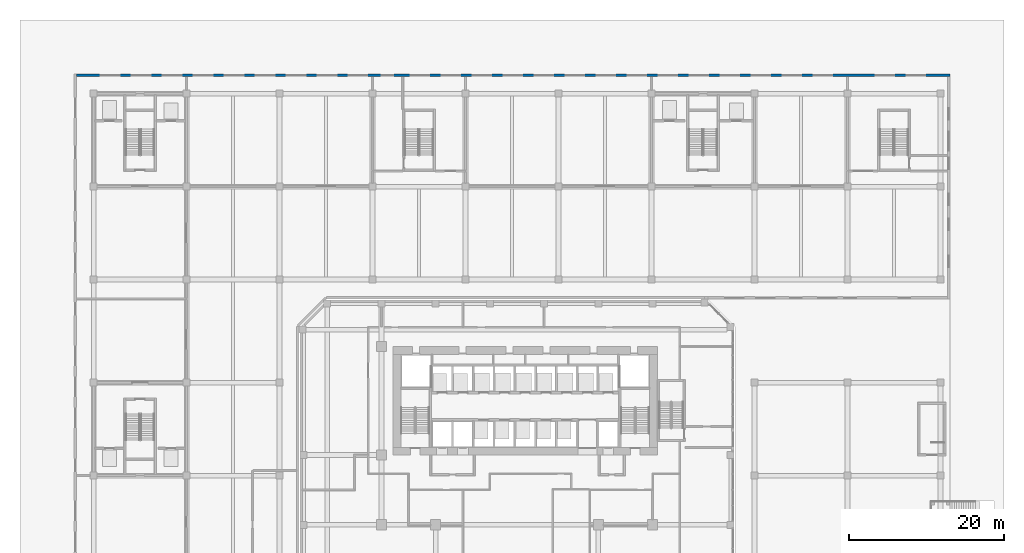
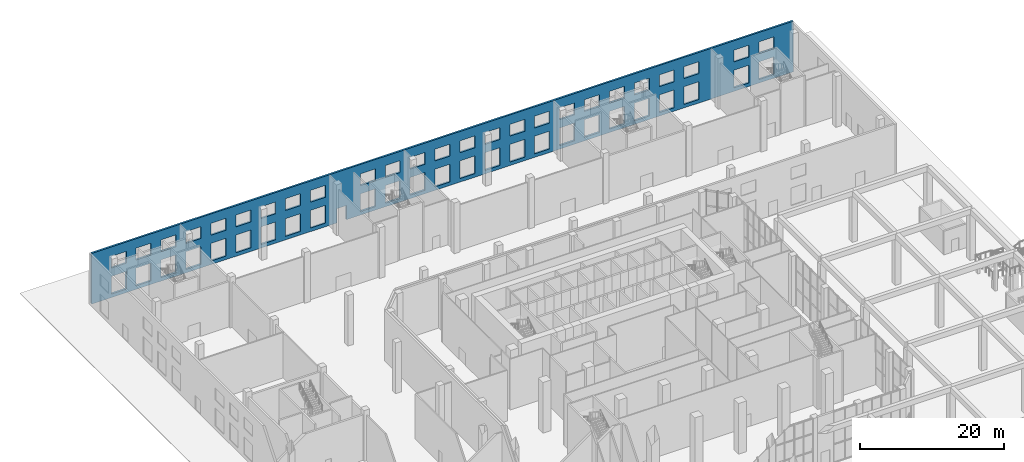
# One storey, part 27 of 43: 1 wall, 51 openings.
"""IFC4 building model written with IfcOpenShell, lengths in metres."""

import ifcopenshell
import ifcopenshell.guid

model = None  # the IFC model being written
_history = None  # IfcOwnerHistory: only IFC2X3 demands one
_inside = {}  # id of a spatial element -> (the spatial element, [elements in it])
_under = {}  # id of a project, library or spatial element -> (it, [spatial elements below it])
_declared = {}  # id of a project -> (the project, [libraries it declares])
_typed = {}  # id of a type object -> (the type object, [elements of that type])
_made_of = {}  # id of a material, layer set ... -> (it, [elements and type objects made of it])


def new_model(schema):
    """Start an empty IFC model of exactly this schema.

    Asked for "IFC4X3", IfcOpenShell would pick the latest addendum, in which some entities
    have other attributes; the version numbers below select the first issue.
    IFC2X3 requires an IfcOwnerHistory on every rooted entity: one is made here for all.
    """
    global model, _history
    if schema == "IFC4X3":
        model = ifcopenshell.file(schema_version=(4, 3, 0, 0))
    else:
        model = ifcopenshell.file(schema=schema)
    _inside.clear()
    _under.clear()
    _declared.clear()
    _typed.clear()
    _made_of.clear()
    _history = None
    if model.schema == "IFC2X3":
        org = make("IfcOrganization", Name="unknown")
        user = make(
            "IfcPersonAndOrganization",
            ThePerson=make("IfcPerson", FamilyName="unknown"),
            TheOrganization=org,
        )
        app = make(
            "IfcApplication",
            ApplicationDeveloper=org,
            Version="unknown",
            ApplicationFullName="unknown",
            ApplicationIdentifier="unknown",
        )
        _history = make(
            "IfcOwnerHistory",
            OwningUser=user,
            OwningApplication=app,
            ChangeAction="ADDED",
            CreationDate=0,
        )
    return model


def make(cls, **values):
    """One entity of the class cls with the attributes given. An attribute that is None is left unset."""
    return model.create_entity(
        cls, **{name: value for name, value in values.items() if value is not None}
    )


def rooted(cls, **values):
    """An entity with a GlobalId (a new one), such as an element, a storey or a relation."""
    return make(cls, GlobalId=ifcopenshell.guid.new(), OwnerHistory=_history, **values)


def si_unit(unit_type, name, prefix=None):
    """IfcSIUnit, for example si_unit("LENGTHUNIT", "METRE", prefix="MILLI")."""
    return make("IfcSIUnit", UnitType=unit_type, Prefix=prefix, Name=name)


def assignment(units):
    """IfcUnitAssignment: the units of a project."""
    return None if units is None else make("IfcUnitAssignment", Units=units)


def point(xyz):
    """IfcCartesianPoint."""
    return None if xyz is None else make("IfcCartesianPoint", Coordinates=xyz)


def direction(xyz):
    """IfcDirection."""
    return None if xyz is None else make("IfcDirection", DirectionRatios=xyz)


def frame(location, z_axis=None, x_axis=None):
    """IfcAxis2Placement3D, a coordinate frame: its origin and axes. An axis left out is left unset."""
    return make(
        "IfcAxis2Placement3D",
        Location=point(location),
        Axis=direction(z_axis),
        RefDirection=direction(x_axis),
    )


def frame_2d(location, x_axis=None):
    """IfcAxis2Placement2D, a coordinate frame in the plane: its origin and x axis."""
    return make(
        "IfcAxis2Placement2D", Location=point(location), RefDirection=direction(x_axis)
    )


def origin():
    """The frame at (0, 0, 0) with its axes left unset."""
    return frame((0.0, 0.0, 0.0))


def place(relative_to, where):
    """IfcLocalPlacement: puts the frame where relative to a parent placement (None: the world)."""
    return make(
        "IfcLocalPlacement", PlacementRelTo=relative_to, RelativePlacement=where
    )


def context(
    kind, dimensions, precision=None, world=None, true_north=None, identifier=None
):
    """IfcGeometricRepresentationContext, for example the 3D "Model" context."""
    return make(
        "IfcGeometricRepresentationContext",
        ContextIdentifier=identifier,
        ContextType=kind,
        CoordinateSpaceDimension=dimensions,
        Precision=precision,
        WorldCoordinateSystem=world,
        TrueNorth=true_north,
    )


def subcontext(parent, identifier, kind, view, scale=None):
    """IfcGeometricRepresentationSubContext, for example "Body" below "Model"."""
    return make(
        "IfcGeometricRepresentationSubContext",
        ContextIdentifier=identifier,
        ContextType=kind,
        ParentContext=parent,
        TargetScale=scale,
        TargetView=view,
    )


def project(units=None, contexts=None):
    """IfcProject with its units and contexts."""
    return rooted(
        "IfcProject",
        Name="project",
        RepresentationContexts=contexts,
        UnitsInContext=assignment(units),
    )


def spatial(cls, under=None, at=None, **own):
    """A site, building, storey or space (cls), placed at a placement, below another one or the project."""
    s = rooted(cls, ObjectPlacement=at, **own)
    if under is not None:
        _under.setdefault(under.id(), (under, []))[1].append(s)
    return s


def profile(cls, at=None, kind="AREA", **sizes):
    """A parametric profile (cls). Its sizes go by their IFC names, for example OverallWidth=200.0."""
    return make(cls, ProfileType=kind, Position=at, **sizes)


def rectangle(**sizes):
    """IfcRectangleProfileDef."""
    return profile("IfcRectangleProfileDef", **sizes)


def extrude(swept, where, along, depth):
    """IfcExtrudedAreaSolid: the profile swept, set in the frame where, extruded along a direction by depth."""
    return make(
        "IfcExtrudedAreaSolid",
        SweptArea=swept,
        Position=where,
        ExtrudedDirection=direction(along),
        Depth=depth,
    )


def shape(context_of_items, identifier, shape_type, items):
    """IfcShapeRepresentation: the items that make up one representation, for example the "Body"."""
    return make(
        "IfcShapeRepresentation",
        ContextOfItems=context_of_items,
        RepresentationIdentifier=identifier,
        RepresentationType=shape_type,
        Items=items,
    )


def source(mapping_origin, context_of_items, identifier, shape_type, items):
    """IfcRepresentationMap: a shape defined once, which mapped items show again and again."""
    return make(
        "IfcRepresentationMap",
        MappingOrigin=mapping_origin,
        MappedRepresentation=shape(context_of_items, identifier, shape_type, items),
    )


def transform(
    local_origin,
    x_axis=None,
    y_axis=None,
    z_axis=None,
    scale=None,
    scale2=None,
    scale3=None,
    uniform=True,
):
    """IfcCartesianTransformationOperator3D, or its non-uniform kind. x_axis, y_axis, z_axis: its Axis1, 2, 3."""
    if uniform:
        return make(
            "IfcCartesianTransformationOperator3D",
            Axis1=direction(x_axis),
            Axis2=direction(y_axis),
            LocalOrigin=point(local_origin),
            Scale=scale,
            Axis3=direction(z_axis),
        )
    return make(
        "IfcCartesianTransformationOperator3DnonUniform",
        Axis1=direction(x_axis),
        Axis2=direction(y_axis),
        LocalOrigin=point(local_origin),
        Scale=scale,
        Axis3=direction(z_axis),
        Scale2=scale2,
        Scale3=scale3,
    )


def mapped(mapping_source, mapping_target):
    """IfcMappedItem: shows the shape of a source again, moved by a transform."""
    return make(
        "IfcMappedItem", MappingSource=mapping_source, MappingTarget=mapping_target
    )


def material(Name=None, Category=None):
    """IfcMaterial."""
    return make("IfcMaterial", Name=Name, Category=Category)


def layer(
    of_material, thickness, ventilated=None, Name=None, Category=None, Priority=None
):
    """IfcMaterialLayer: one layer of a wall or slab, of a material (None: an air gap)."""
    return make(
        "IfcMaterialLayer",
        Material=of_material,
        LayerThickness=thickness,
        IsVentilated=ventilated,
        Name=Name,
        Category=Category,
        Priority=Priority,
    )


def layer_set(layers, Name=None):
    """IfcMaterialLayerSet."""
    return make("IfcMaterialLayerSet", MaterialLayers=layers, LayerSetName=Name)


def made_of(thing, what):
    """Note that an element or type object is made of a material, layer set ...; save() writes the relation."""
    if what is not None:
        _made_of.setdefault(what.id(), (what, []))[1].append(thing)
    return thing


def type_object(cls, material=None, **own):
    """A type object (cls), such as IfcWallType, which elements share."""
    return made_of(rooted(cls, **own), material)


def element(
    cls,
    number,
    at=None,
    inside=None,
    cuts=None,
    type_object=None,
    material=None,
    context=None,
    identifier="Body",
    shape_type=None,
    held_by="IfcProductDefinitionShape",
    body=None,
    shapes=None,
    **own,
):
    """One element of the class cls, such as IfcWall. Its Tag is "e" and its number.

    at: its placement. inside: the storey or other place that contains it. cuts: it is an
    opening in that element (IfcRelVoidsElement). A single representation is given by context,
    identifier, shape_type and body (its items); several are given by shapes. held_by: the class
    of the entity that holds the representations. save() writes the other relations.
    """
    e = rooted(cls, Tag="e%d" % number, ObjectPlacement=at, **own)
    if body is not None:
        shapes = [shape(context, identifier, shape_type, body)]
    if shapes is not None:
        e.Representation = make(held_by, Representations=shapes)
    if inside is not None:
        _inside.setdefault(inside.id(), (inside, []))[1].append(e)
    if cuts is not None:
        rooted(
            "IfcRelVoidsElement", RelatingBuildingElement=cuts, RelatedOpeningElement=e
        )
    if type_object is not None:
        _typed.setdefault(type_object.id(), (type_object, []))[1].append(e)
    return made_of(e, material)


def aggregate(whole, parts):
    """IfcRelAggregates: a whole, such as a stair, and the parts it consists of."""
    return rooted("IfcRelAggregates", RelatingObject=whole, RelatedObjects=parts)


def save(model, path):
    """Write the relations noted so far, then the file.

    IfcRelAggregates (storeys below a building ...), IfcRelContainedInSpatialStructure (elements
    in a storey), IfcRelDefinesByType, IfcRelAssociatesMaterial and IfcRelDeclares: one each for
    every whole, place, type object, material and project.
    """
    for whole, parts in _under.values():
        aggregate(whole, parts)
    for where, things in _inside.values():
        rooted(
            "IfcRelContainedInSpatialStructure",
            RelatedElements=things,
            RelatingStructure=where,
        )
    for kind, things in _typed.values():
        rooted("IfcRelDefinesByType", RelatedObjects=things, RelatingType=kind)
    for what, things in _made_of.values():
        rooted("IfcRelAssociatesMaterial", RelatedObjects=things, RelatingMaterial=what)
    for by, libraries in _declared.values():
        rooted("IfcRelDeclares", RelatingContext=by, RelatedDefinitions=libraries)
    model.write(path)


model = new_model("IFC4")

# Units and contexts
model_context = context("Model", 3, precision=1e-05, world=origin(), true_north=direction((0.0, 1.0)))
body_context = subcontext(model_context, "Body", "Model", "MODEL_VIEW")
ifc_project = project(units=[si_unit("LENGTHUNIT", "METRE"), si_unit("AREAUNIT", "SQUARE_METRE"), si_unit("VOLUMEUNIT", "CUBIC_METRE"), si_unit("PLANEANGLEUNIT", "RADIAN"), si_unit("MASSUNIT", "GRAM", prefix="KILO")], contexts=[model_context])

# Site, building, storey
site_placement = place(None, origin())
site = spatial("IfcSite", under=ifc_project, at=site_placement, CompositionType="ELEMENT")
building_placement = place(site_placement, origin())
building = spatial("IfcBuilding", under=site, at=building_placement, Name="Kilnfold Tower and Market Hall", CompositionType="ELEMENT")
storey_placement = place(building_placement, origin())
storey = spatial("IfcBuildingStorey", under=building, at=storey_placement, Name="L00", CompositionType="ELEMENT", Elevation=0.0)

# Wall, openings
ifc_material = material(Name="Concrete blockwork", Category="masonry")
ifc_layer = layer(ifc_material, 0.300048828125)
ifc_layer_set = layer_set([ifc_layer], Name="Concrete blockwork")
wall_type = type_object("IfcWallType", Name="HALL EXTERNAL WALL 300 EI 60", PredefinedType="SOLIDWALL", material=ifc_layer_set)
shared_shape = source(origin(), body_context, "Body", "SweptSolid", [
    extrude(rectangle(XDim=112.7001953125, YDim=0.300048828125, at=frame_2d((56.35009765625, 0.0))), origin(), (0.0, 0.0, 1.0), 8.60009765625),
])
wall_placement = place(storey_placement, frame((-56.85009765625, 57.0, 0.0), z_axis=(0.0, 0.0, 1.0), x_axis=(1.0, 0.0, 0.0)))
wall = element("IfcWall", 1, at=wall_placement, inside=storey, type_object=wall_type, Name="External wall MEW-L00.2", PredefinedType="SOLIDWALL", context=body_context, shape_type="MappedRepresentation", body=[
    mapped(shared_shape, transform((0.0, 0.0, 0.0))),
])
opening_1_placement = place(wall_placement, frame((39.39990234375, 0.0, 0.0)))
element("IfcOpeningElement", 2, at=opening_1_placement, cuts=wall, Name="Opening MED1", PredefinedType="OPENING", context=body_context, shape_type="SweptSolid", body=[
    extrude(rectangle(XDim=1.5, YDim=2.39990234375, at=frame_2d((0.75, 1.199951171875))), frame((0.0, 0.16015625, 0.0), z_axis=(0.0, -1.0, 0.0), x_axis=(1.0, 0.0, 0.0)), (0.0, 0.0, 1.0), 0.320068359375),
])
opening_2_placement = place(wall_placement, frame((3.14990234375, 0.0, 0.60009765625)))
element("IfcOpeningElement", 3, at=opening_2_placement, cuts=wall, Name="Opening MEN1", PredefinedType="OPENING", context=body_context, shape_type="SweptSolid", body=[
    extrude(rectangle(XDim=2.39990234375, YDim=3.0, at=frame_2d((1.199951171875, 1.5))), frame((0.0, 0.16015625, 0.0), z_axis=(0.0, -1.0, 0.0), x_axis=(1.0, 0.0, 0.0)), (0.0, 0.0, 1.0), 0.320068359375),
])
opening_3_placement = place(wall_placement, frame((3.14990234375, 0.0, 5.0)))
element("IfcOpeningElement", 4, at=opening_3_placement, cuts=wall, Name="Opening MEN2", PredefinedType="OPENING", context=body_context, shape_type="SweptSolid", body=[
    extrude(rectangle(XDim=2.39990234375, YDim=2.0, at=frame_2d((1.199951171875, 1.0))), frame((0.0, 0.16015625, 0.0), z_axis=(0.0, -1.0, 0.0), x_axis=(1.0, 0.0, 0.0)), (0.0, 0.0, 1.0), 0.320068359375),
])
opening_4_placement = place(wall_placement, frame((7.14990234375, 0.0, 0.60009765625)))
element("IfcOpeningElement", 5, at=opening_4_placement, cuts=wall, Name="Opening MEN1", PredefinedType="OPENING", context=body_context, shape_type="SweptSolid", body=[
    extrude(rectangle(XDim=2.39990234375, YDim=3.0, at=frame_2d((1.199951171875, 1.5))), frame((0.0, 0.16015625, 0.0), z_axis=(0.0, -1.0, 0.0), x_axis=(1.0, 0.0, 0.0)), (0.0, 0.0, 1.0), 0.320068359375),
])
opening_5_placement = place(wall_placement, frame((7.14990234375, 0.0, 5.0)))
element("IfcOpeningElement", 6, at=opening_5_placement, cuts=wall, Name="Opening MEN2", PredefinedType="OPENING", context=body_context, shape_type="SweptSolid", body=[
    extrude(rectangle(XDim=2.39990234375, YDim=2.0, at=frame_2d((1.199951171875, 1.0))), frame((0.0, 0.16015625, 0.0), z_axis=(0.0, -1.0, 0.0), x_axis=(1.0, 0.0, 0.0)), (0.0, 0.0, 1.0), 0.320068359375),
])
opening_6_placement = place(wall_placement, frame((11.14990234375, 0.0, 0.60009765625)))
element("IfcOpeningElement", 7, at=opening_6_placement, cuts=wall, Name="Opening MEN1", PredefinedType="OPENING", context=body_context, shape_type="SweptSolid", body=[
    extrude(rectangle(XDim=2.39990234375, YDim=3.0, at=frame_2d((1.199951171875, 1.5))), frame((0.0, 0.16015625, 0.0), z_axis=(0.0, -1.0, 0.0), x_axis=(1.0, 0.0, 0.0)), (0.0, 0.0, 1.0), 0.320068359375),
])
opening_7_placement = place(wall_placement, frame((11.14990234375, 0.0, 5.0)))
element("IfcOpeningElement", 8, at=opening_7_placement, cuts=wall, Name="Opening MEN2", PredefinedType="OPENING", context=body_context, shape_type="SweptSolid", body=[
    extrude(rectangle(XDim=2.39990234375, YDim=2.0, at=frame_2d((1.199951171875, 1.0))), frame((0.0, 0.16015625, 0.0), z_axis=(0.0, -1.0, 0.0), x_axis=(1.0, 0.0, 0.0)), (0.0, 0.0, 1.0), 0.320068359375),
])
opening_8_placement = place(wall_placement, frame((15.14990234375, 0.0, 0.60009765625)))
element("IfcOpeningElement", 9, at=opening_8_placement, cuts=wall, Name="Opening MEN1", PredefinedType="OPENING", context=body_context, shape_type="SweptSolid", body=[
    extrude(rectangle(XDim=2.39990234375, YDim=3.0, at=frame_2d((1.199951171875, 1.5))), frame((0.0, 0.16015625, 0.0), z_axis=(0.0, -1.0, 0.0), x_axis=(1.0, 0.0, 0.0)), (0.0, 0.0, 1.0), 0.320068359375),
])
opening_9_placement = place(wall_placement, frame((15.14990234375, 0.0, 5.0)))
element("IfcOpeningElement", 10, at=opening_9_placement, cuts=wall, Name="Opening MEN2", PredefinedType="OPENING", context=body_context, shape_type="SweptSolid", body=[
    extrude(rectangle(XDim=2.39990234375, YDim=2.0, at=frame_2d((1.199951171875, 1.0))), frame((0.0, 0.16015625, 0.0), z_axis=(0.0, -1.0, 0.0), x_axis=(1.0, 0.0, 0.0)), (0.0, 0.0, 1.0), 0.320068359375),
])
opening_10_placement = place(wall_placement, frame((19.14990234375, 0.0, 0.60009765625)))
element("IfcOpeningElement", 11, at=opening_10_placement, cuts=wall, Name="Opening MEN1", PredefinedType="OPENING", context=body_context, shape_type="SweptSolid", body=[
    extrude(rectangle(XDim=2.39990234375, YDim=3.0, at=frame_2d((1.199951171875, 1.5))), frame((0.0, 0.16015625, 0.0), z_axis=(0.0, -1.0, 0.0), x_axis=(1.0, 0.0, 0.0)), (0.0, 0.0, 1.0), 0.320068359375),
])
opening_11_placement = place(wall_placement, frame((19.14990234375, 0.0, 5.0)))
element("IfcOpeningElement", 12, at=opening_11_placement, cuts=wall, Name="Opening MEN2", PredefinedType="OPENING", context=body_context, shape_type="SweptSolid", body=[
    extrude(rectangle(XDim=2.39990234375, YDim=2.0, at=frame_2d((1.199951171875, 1.0))), frame((0.0, 0.16015625, 0.0), z_axis=(0.0, -1.0, 0.0), x_axis=(1.0, 0.0, 0.0)), (0.0, 0.0, 1.0), 0.320068359375),
])
opening_12_placement = place(wall_placement, frame((23.14990234375, 0.0, 0.60009765625)))
element("IfcOpeningElement", 13, at=opening_12_placement, cuts=wall, Name="Opening MEN1", PredefinedType="OPENING", context=body_context, shape_type="SweptSolid", body=[
    extrude(rectangle(XDim=2.39990234375, YDim=3.0, at=frame_2d((1.199951171875, 1.5))), frame((0.0, 0.16015625, 0.0), z_axis=(0.0, -1.0, 0.0), x_axis=(1.0, 0.0, 0.0)), (0.0, 0.0, 1.0), 0.320068359375),
])
opening_13_placement = place(wall_placement, frame((23.14990234375, 0.0, 5.0)))
element("IfcOpeningElement", 14, at=opening_13_placement, cuts=wall, Name="Opening MEN2", PredefinedType="OPENING", context=body_context, shape_type="SweptSolid", body=[
    extrude(rectangle(XDim=2.39990234375, YDim=2.0, at=frame_2d((1.199951171875, 1.0))), frame((0.0, 0.16015625, 0.0), z_axis=(0.0, -1.0, 0.0), x_axis=(1.0, 0.0, 0.0)), (0.0, 0.0, 1.0), 0.320068359375),
])
opening_14_placement = place(wall_placement, frame((27.14990234375, 0.0, 0.60009765625)))
element("IfcOpeningElement", 15, at=opening_14_placement, cuts=wall, Name="Opening MEN1", PredefinedType="OPENING", context=body_context, shape_type="SweptSolid", body=[
    extrude(rectangle(XDim=2.39990234375, YDim=3.0, at=frame_2d((1.199951171875, 1.5))), frame((0.0, 0.16015625, 0.0), z_axis=(0.0, -1.0, 0.0), x_axis=(1.0, 0.0, 0.0)), (0.0, 0.0, 1.0), 0.320068359375),
])
opening_15_placement = place(wall_placement, frame((27.14990234375, 0.0, 5.0)))
element("IfcOpeningElement", 16, at=opening_15_placement, cuts=wall, Name="Opening MEN2", PredefinedType="OPENING", context=body_context, shape_type="SweptSolid", body=[
    extrude(rectangle(XDim=2.39990234375, YDim=2.0, at=frame_2d((1.199951171875, 1.0))), frame((0.0, 0.16015625, 0.0), z_axis=(0.0, -1.0, 0.0), x_axis=(1.0, 0.0, 0.0)), (0.0, 0.0, 1.0), 0.320068359375),
])
opening_16_placement = place(wall_placement, frame((31.14990234375, 0.0, 0.60009765625)))
element("IfcOpeningElement", 17, at=opening_16_placement, cuts=wall, Name="Opening MEN1", PredefinedType="OPENING", context=body_context, shape_type="SweptSolid", body=[
    extrude(rectangle(XDim=2.39990234375, YDim=3.0, at=frame_2d((1.199951171875, 1.5))), frame((0.0, 0.16015625, 0.0), z_axis=(0.0, -1.0, 0.0), x_axis=(1.0, 0.0, 0.0)), (0.0, 0.0, 1.0), 0.320068359375),
])
opening_17_placement = place(wall_placement, frame((31.14990234375, 0.0, 5.0)))
element("IfcOpeningElement", 18, at=opening_17_placement, cuts=wall, Name="Opening MEN2", PredefinedType="OPENING", context=body_context, shape_type="SweptSolid", body=[
    extrude(rectangle(XDim=2.39990234375, YDim=2.0, at=frame_2d((1.199951171875, 1.0))), frame((0.0, 0.16015625, 0.0), z_axis=(0.0, -1.0, 0.0), x_axis=(1.0, 0.0, 0.0)), (0.0, 0.0, 1.0), 0.320068359375),
])
opening_18_placement = place(wall_placement, frame((35.14990234375, 0.0, 0.60009765625)))
element("IfcOpeningElement", 19, at=opening_18_placement, cuts=wall, Name="Opening MEN1", PredefinedType="OPENING", context=body_context, shape_type="SweptSolid", body=[
    extrude(rectangle(XDim=2.39990234375, YDim=3.0, at=frame_2d((1.199951171875, 1.5))), frame((0.0, 0.16015625, 0.0), z_axis=(0.0, -1.0, 0.0), x_axis=(1.0, 0.0, 0.0)), (0.0, 0.0, 1.0), 0.320068359375),
])
opening_19_placement = place(wall_placement, frame((35.14990234375, 0.0, 5.0)))
element("IfcOpeningElement", 20, at=opening_19_placement, cuts=wall, Name="Opening MEN2", PredefinedType="OPENING", context=body_context, shape_type="SweptSolid", body=[
    extrude(rectangle(XDim=2.39990234375, YDim=2.0, at=frame_2d((1.199951171875, 1.0))), frame((0.0, 0.16015625, 0.0), z_axis=(0.0, -1.0, 0.0), x_axis=(1.0, 0.0, 0.0)), (0.0, 0.0, 1.0), 0.320068359375),
])
opening_20_placement = place(wall_placement, frame((43.14990234375, 0.0, 0.60009765625)))
element("IfcOpeningElement", 21, at=opening_20_placement, cuts=wall, Name="Opening MEN1", PredefinedType="OPENING", context=body_context, shape_type="SweptSolid", body=[
    extrude(rectangle(XDim=2.39990234375, YDim=3.0, at=frame_2d((1.199951171875, 1.5))), frame((0.0, 0.16015625, 0.0), z_axis=(0.0, -1.0, 0.0), x_axis=(1.0, 0.0, 0.0)), (0.0, 0.0, 1.0), 0.320068359375),
])
opening_21_placement = place(wall_placement, frame((43.14990234375, 0.0, 5.0)))
element("IfcOpeningElement", 22, at=opening_21_placement, cuts=wall, Name="Opening MEN2", PredefinedType="OPENING", context=body_context, shape_type="SweptSolid", body=[
    extrude(rectangle(XDim=2.39990234375, YDim=2.0, at=frame_2d((1.199951171875, 1.0))), frame((0.0, 0.16015625, 0.0), z_axis=(0.0, -1.0, 0.0), x_axis=(1.0, 0.0, 0.0)), (0.0, 0.0, 1.0), 0.320068359375),
])
opening_22_placement = place(wall_placement, frame((47.14990234375, 0.0, 0.60009765625)))
element("IfcOpeningElement", 23, at=opening_22_placement, cuts=wall, Name="Opening MEN1", PredefinedType="OPENING", context=body_context, shape_type="SweptSolid", body=[
    extrude(rectangle(XDim=2.39990234375, YDim=3.0, at=frame_2d((1.199951171875, 1.5))), frame((0.0, 0.16015625, 0.0), z_axis=(0.0, -1.0, 0.0), x_axis=(1.0, 0.0, 0.0)), (0.0, 0.0, 1.0), 0.320068359375),
])
opening_23_placement = place(wall_placement, frame((47.14990234375, 0.0, 5.0)))
element("IfcOpeningElement", 24, at=opening_23_placement, cuts=wall, Name="Opening MEN2", PredefinedType="OPENING", context=body_context, shape_type="SweptSolid", body=[
    extrude(rectangle(XDim=2.39990234375, YDim=2.0, at=frame_2d((1.199951171875, 1.0))), frame((0.0, 0.16015625, 0.0), z_axis=(0.0, -1.0, 0.0), x_axis=(1.0, 0.0, 0.0)), (0.0, 0.0, 1.0), 0.320068359375),
])
opening_24_placement = place(wall_placement, frame((51.14990234375, 0.0, 0.60009765625)))
element("IfcOpeningElement", 25, at=opening_24_placement, cuts=wall, Name="Opening MEN1", PredefinedType="OPENING", context=body_context, shape_type="SweptSolid", body=[
    extrude(rectangle(XDim=2.39990234375, YDim=3.0, at=frame_2d((1.199951171875, 1.5))), frame((0.0, 0.16015625, 0.0), z_axis=(0.0, -1.0, 0.0), x_axis=(1.0, 0.0, 0.0)), (0.0, 0.0, 1.0), 0.320068359375),
])
opening_25_placement = place(wall_placement, frame((51.14990234375, 0.0, 5.0)))
element("IfcOpeningElement", 26, at=opening_25_placement, cuts=wall, Name="Opening MEN2", PredefinedType="OPENING", context=body_context, shape_type="SweptSolid", body=[
    extrude(rectangle(XDim=2.39990234375, YDim=2.0, at=frame_2d((1.199951171875, 1.0))), frame((0.0, 0.16015625, 0.0), z_axis=(0.0, -1.0, 0.0), x_axis=(1.0, 0.0, 0.0)), (0.0, 0.0, 1.0), 0.320068359375),
])
opening_26_placement = place(wall_placement, frame((55.14990234375, 0.0, 0.60009765625)))
element("IfcOpeningElement", 27, at=opening_26_placement, cuts=wall, Name="Opening MEN1", PredefinedType="OPENING", context=body_context, shape_type="SweptSolid", body=[
    extrude(rectangle(XDim=2.39990234375, YDim=3.0, at=frame_2d((1.199951171875, 1.5))), frame((0.0, 0.16015625, 0.0), z_axis=(0.0, -1.0, 0.0), x_axis=(1.0, 0.0, 0.0)), (0.0, 0.0, 1.0), 0.320068359375),
])
opening_27_placement = place(wall_placement, frame((55.14990234375, 0.0, 5.0)))
element("IfcOpeningElement", 28, at=opening_27_placement, cuts=wall, Name="Opening MEN2", PredefinedType="OPENING", context=body_context, shape_type="SweptSolid", body=[
    extrude(rectangle(XDim=2.39990234375, YDim=2.0, at=frame_2d((1.199951171875, 1.0))), frame((0.0, 0.16015625, 0.0), z_axis=(0.0, -1.0, 0.0), x_axis=(1.0, 0.0, 0.0)), (0.0, 0.0, 1.0), 0.320068359375),
])
opening_28_placement = place(wall_placement, frame((59.14990234375, 0.0, 0.60009765625)))
element("IfcOpeningElement", 29, at=opening_28_placement, cuts=wall, Name="Opening MEN1", PredefinedType="OPENING", context=body_context, shape_type="SweptSolid", body=[
    extrude(rectangle(XDim=2.39990234375, YDim=3.0, at=frame_2d((1.199951171875, 1.5))), frame((0.0, 0.16015625, 0.0), z_axis=(0.0, -1.0, 0.0), x_axis=(1.0, 0.0, 0.0)), (0.0, 0.0, 1.0), 0.320068359375),
])
opening_29_placement = place(wall_placement, frame((59.14990234375, 0.0, 5.0)))
element("IfcOpeningElement", 30, at=opening_29_placement, cuts=wall, Name="Opening MEN2", PredefinedType="OPENING", context=body_context, shape_type="SweptSolid", body=[
    extrude(rectangle(XDim=2.39990234375, YDim=2.0, at=frame_2d((1.199951171875, 1.0))), frame((0.0, 0.16015625, 0.0), z_axis=(0.0, -1.0, 0.0), x_axis=(1.0, 0.0, 0.0)), (0.0, 0.0, 1.0), 0.320068359375),
])
opening_30_placement = place(wall_placement, frame((63.14990234375, 0.0, 0.60009765625)))
element("IfcOpeningElement", 31, at=opening_30_placement, cuts=wall, Name="Opening MEN1", PredefinedType="OPENING", context=body_context, shape_type="SweptSolid", body=[
    extrude(rectangle(XDim=2.39990234375, YDim=3.0, at=frame_2d((1.199951171875, 1.5))), frame((0.0, 0.16015625, 0.0), z_axis=(0.0, -1.0, 0.0), x_axis=(1.0, 0.0, 0.0)), (0.0, 0.0, 1.0), 0.320068359375),
])
opening_31_placement = place(wall_placement, frame((63.14990234375, 0.0, 5.0)))
element("IfcOpeningElement", 32, at=opening_31_placement, cuts=wall, Name="Opening MEN2", PredefinedType="OPENING", context=body_context, shape_type="SweptSolid", body=[
    extrude(rectangle(XDim=2.39990234375, YDim=2.0, at=frame_2d((1.199951171875, 1.0))), frame((0.0, 0.16015625, 0.0), z_axis=(0.0, -1.0, 0.0), x_axis=(1.0, 0.0, 0.0)), (0.0, 0.0, 1.0), 0.320068359375),
])
opening_32_placement = place(wall_placement, frame((67.14990234375, 0.0, 0.60009765625)))
element("IfcOpeningElement", 33, at=opening_32_placement, cuts=wall, Name="Opening MEN1", PredefinedType="OPENING", context=body_context, shape_type="SweptSolid", body=[
    extrude(rectangle(XDim=2.39990234375, YDim=3.0, at=frame_2d((1.199951171875, 1.5))), frame((0.0, 0.16015625, 0.0), z_axis=(0.0, -1.0, 0.0), x_axis=(1.0, 0.0, 0.0)), (0.0, 0.0, 1.0), 0.320068359375),
])
opening_33_placement = place(wall_placement, frame((67.14990234375, 0.0, 5.0)))
element("IfcOpeningElement", 34, at=opening_33_placement, cuts=wall, Name="Opening MEN2", PredefinedType="OPENING", context=body_context, shape_type="SweptSolid", body=[
    extrude(rectangle(XDim=2.39990234375, YDim=2.0, at=frame_2d((1.199951171875, 1.0))), frame((0.0, 0.16015625, 0.0), z_axis=(0.0, -1.0, 0.0), x_axis=(1.0, 0.0, 0.0)), (0.0, 0.0, 1.0), 0.320068359375),
])
opening_34_placement = place(wall_placement, frame((71.14990234375, 0.0, 0.60009765625)))
element("IfcOpeningElement", 35, at=opening_34_placement, cuts=wall, Name="Opening MEN1", PredefinedType="OPENING", context=body_context, shape_type="SweptSolid", body=[
    extrude(rectangle(XDim=2.39990234375, YDim=3.0, at=frame_2d((1.199951171875, 1.5))), frame((0.0, 0.16015625, 0.0), z_axis=(0.0, -1.0, 0.0), x_axis=(1.0, 0.0, 0.0)), (0.0, 0.0, 1.0), 0.320068359375),
])
opening_35_placement = place(wall_placement, frame((71.14990234375, 0.0, 5.0)))
element("IfcOpeningElement", 36, at=opening_35_placement, cuts=wall, Name="Opening MEN2", PredefinedType="OPENING", context=body_context, shape_type="SweptSolid", body=[
    extrude(rectangle(XDim=2.39990234375, YDim=2.0, at=frame_2d((1.199951171875, 1.0))), frame((0.0, 0.16015625, 0.0), z_axis=(0.0, -1.0, 0.0), x_axis=(1.0, 0.0, 0.0)), (0.0, 0.0, 1.0), 0.320068359375),
])
opening_36_placement = place(wall_placement, frame((75.14990234375, 0.0, 0.60009765625)))
element("IfcOpeningElement", 37, at=opening_36_placement, cuts=wall, Name="Opening MEN1", PredefinedType="OPENING", context=body_context, shape_type="SweptSolid", body=[
    extrude(rectangle(XDim=2.39990234375, YDim=3.0, at=frame_2d((1.199951171875, 1.5))), frame((0.0, 0.16015625, 0.0), z_axis=(0.0, -1.0, 0.0), x_axis=(1.0, 0.0, 0.0)), (0.0, 0.0, 1.0), 0.320068359375),
])
opening_37_placement = place(wall_placement, frame((75.14990234375, 0.0, 5.0)))
element("IfcOpeningElement", 38, at=opening_37_placement, cuts=wall, Name="Opening MEN2", PredefinedType="OPENING", context=body_context, shape_type="SweptSolid", body=[
    extrude(rectangle(XDim=2.39990234375, YDim=2.0, at=frame_2d((1.199951171875, 1.0))), frame((0.0, 0.16015625, 0.0), z_axis=(0.0, -1.0, 0.0), x_axis=(1.0, 0.0, 0.0)), (0.0, 0.0, 1.0), 0.320068359375),
])
opening_38_placement = place(wall_placement, frame((79.14990234375, 0.0, 0.60009765625)))
element("IfcOpeningElement", 39, at=opening_38_placement, cuts=wall, Name="Opening MEN1", PredefinedType="OPENING", context=body_context, shape_type="SweptSolid", body=[
    extrude(rectangle(XDim=2.39990234375, YDim=3.0, at=frame_2d((1.199951171875, 1.5))), frame((0.0, 0.16015625, 0.0), z_axis=(0.0, -1.0, 0.0), x_axis=(1.0, 0.0, 0.0)), (0.0, 0.0, 1.0), 0.320068359375),
])
opening_39_placement = place(wall_placement, frame((79.14990234375, 0.0, 5.0)))
element("IfcOpeningElement", 40, at=opening_39_placement, cuts=wall, Name="Opening MEN2", PredefinedType="OPENING", context=body_context, shape_type="SweptSolid", body=[
    extrude(rectangle(XDim=2.39990234375, YDim=2.0, at=frame_2d((1.199951171875, 1.0))), frame((0.0, 0.16015625, 0.0), z_axis=(0.0, -1.0, 0.0), x_axis=(1.0, 0.0, 0.0)), (0.0, 0.0, 1.0), 0.320068359375),
])
opening_40_placement = place(wall_placement, frame((83.14990234375, 0.0, 0.60009765625)))
element("IfcOpeningElement", 41, at=opening_40_placement, cuts=wall, Name="Opening MEN1", PredefinedType="OPENING", context=body_context, shape_type="SweptSolid", body=[
    extrude(rectangle(XDim=2.39990234375, YDim=3.0, at=frame_2d((1.199951171875, 1.5))), frame((0.0, 0.16015625, 0.0), z_axis=(0.0, -1.0, 0.0), x_axis=(1.0, 0.0, 0.0)), (0.0, 0.0, 1.0), 0.320068359375),
])
opening_41_placement = place(wall_placement, frame((83.14990234375, 0.0, 5.0)))
element("IfcOpeningElement", 42, at=opening_41_placement, cuts=wall, Name="Opening MEN2", PredefinedType="OPENING", context=body_context, shape_type="SweptSolid", body=[
    extrude(rectangle(XDim=2.39990234375, YDim=2.0, at=frame_2d((1.199951171875, 1.0))), frame((0.0, 0.16015625, 0.0), z_axis=(0.0, -1.0, 0.0), x_axis=(1.0, 0.0, 0.0)), (0.0, 0.0, 1.0), 0.320068359375),
])
opening_42_placement = place(wall_placement, frame((87.14990234375, 0.0, 0.60009765625)))
element("IfcOpeningElement", 43, at=opening_42_placement, cuts=wall, Name="Opening MEN1", PredefinedType="OPENING", context=body_context, shape_type="SweptSolid", body=[
    extrude(rectangle(XDim=2.39990234375, YDim=3.0, at=frame_2d((1.199951171875, 1.5))), frame((0.0, 0.16015625, 0.0), z_axis=(0.0, -1.0, 0.0), x_axis=(1.0, 0.0, 0.0)), (0.0, 0.0, 1.0), 0.320068359375),
])
opening_43_placement = place(wall_placement, frame((87.14990234375, 0.0, 5.0)))
element("IfcOpeningElement", 44, at=opening_43_placement, cuts=wall, Name="Opening MEN2", PredefinedType="OPENING", context=body_context, shape_type="SweptSolid", body=[
    extrude(rectangle(XDim=2.39990234375, YDim=2.0, at=frame_2d((1.199951171875, 1.0))), frame((0.0, 0.16015625, 0.0), z_axis=(0.0, -1.0, 0.0), x_axis=(1.0, 0.0, 0.0)), (0.0, 0.0, 1.0), 0.320068359375),
])
opening_44_placement = place(wall_placement, frame((91.14990234375, 0.0, 0.60009765625)))
element("IfcOpeningElement", 45, at=opening_44_placement, cuts=wall, Name="Opening MEN1", PredefinedType="OPENING", context=body_context, shape_type="SweptSolid", body=[
    extrude(rectangle(XDim=2.39990234375, YDim=3.0, at=frame_2d((1.199951171875, 1.5))), frame((0.0, 0.16015625, 0.0), z_axis=(0.0, -1.0, 0.0), x_axis=(1.0, 0.0, 0.0)), (0.0, 0.0, 1.0), 0.320068359375),
])
opening_45_placement = place(wall_placement, frame((91.14990234375, 0.0, 5.0)))
element("IfcOpeningElement", 46, at=opening_45_placement, cuts=wall, Name="Opening MEN2", PredefinedType="OPENING", context=body_context, shape_type="SweptSolid", body=[
    extrude(rectangle(XDim=2.39990234375, YDim=2.0, at=frame_2d((1.199951171875, 1.0))), frame((0.0, 0.16015625, 0.0), z_axis=(0.0, -1.0, 0.0), x_axis=(1.0, 0.0, 0.0)), (0.0, 0.0, 1.0), 0.320068359375),
])
opening_46_placement = place(wall_placement, frame((95.14990234375, 0.0, 0.60009765625)))
element("IfcOpeningElement", 47, at=opening_46_placement, cuts=wall, Name="Opening MEN1", PredefinedType="OPENING", context=body_context, shape_type="SweptSolid", body=[
    extrude(rectangle(XDim=2.39990234375, YDim=3.0, at=frame_2d((1.199951171875, 1.5))), frame((0.0, 0.16015625, 0.0), z_axis=(0.0, -1.0, 0.0), x_axis=(1.0, 0.0, 0.0)), (0.0, 0.0, 1.0), 0.320068359375),
])
opening_47_placement = place(wall_placement, frame((95.14990234375, 0.0, 5.0)))
element("IfcOpeningElement", 48, at=opening_47_placement, cuts=wall, Name="Opening MEN2", PredefinedType="OPENING", context=body_context, shape_type="SweptSolid", body=[
    extrude(rectangle(XDim=2.39990234375, YDim=2.0, at=frame_2d((1.199951171875, 1.0))), frame((0.0, 0.16015625, 0.0), z_axis=(0.0, -1.0, 0.0), x_axis=(1.0, 0.0, 0.0)), (0.0, 0.0, 1.0), 0.320068359375),
])
opening_48_placement = place(wall_placement, frame((103.14990234375, 0.0, 0.60009765625)))
element("IfcOpeningElement", 49, at=opening_48_placement, cuts=wall, Name="Opening MEN1", PredefinedType="OPENING", context=body_context, shape_type="SweptSolid", body=[
    extrude(rectangle(XDim=2.39990234375, YDim=3.0, at=frame_2d((1.199951171875, 1.5))), frame((0.0, 0.16015625, 0.0), z_axis=(0.0, -1.0, 0.0), x_axis=(1.0, 0.0, 0.0)), (0.0, 0.0, 1.0), 0.320068359375),
])
opening_49_placement = place(wall_placement, frame((103.14990234375, 0.0, 5.0)))
element("IfcOpeningElement", 50, at=opening_49_placement, cuts=wall, Name="Opening MEN2", PredefinedType="OPENING", context=body_context, shape_type="SweptSolid", body=[
    extrude(rectangle(XDim=2.39990234375, YDim=2.0, at=frame_2d((1.199951171875, 1.0))), frame((0.0, 0.16015625, 0.0), z_axis=(0.0, -1.0, 0.0), x_axis=(1.0, 0.0, 0.0)), (0.0, 0.0, 1.0), 0.320068359375),
])
opening_50_placement = place(wall_placement, frame((107.14990234375, 0.0, 0.60009765625)))
element("IfcOpeningElement", 51, at=opening_50_placement, cuts=wall, Name="Opening MEN1", PredefinedType="OPENING", context=body_context, shape_type="SweptSolid", body=[
    extrude(rectangle(XDim=2.39990234375, YDim=3.0, at=frame_2d((1.199951171875, 1.5))), frame((0.0, 0.16015625, 0.0), z_axis=(0.0, -1.0, 0.0), x_axis=(1.0, 0.0, 0.0)), (0.0, 0.0, 1.0), 0.320068359375),
])
opening_51_placement = place(wall_placement, frame((107.14990234375, 0.0, 5.0)))
element("IfcOpeningElement", 52, at=opening_51_placement, cuts=wall, Name="Opening MEN2", PredefinedType="OPENING", context=body_context, shape_type="SweptSolid", body=[
    extrude(rectangle(XDim=2.39990234375, YDim=2.0, at=frame_2d((1.199951171875, 1.0))), frame((0.0, 0.16015625, 0.0), z_axis=(0.0, -1.0, 0.0), x_axis=(1.0, 0.0, 0.0)), (0.0, 0.0, 1.0), 0.320068359375),
])

save(model, "model.ifc")
